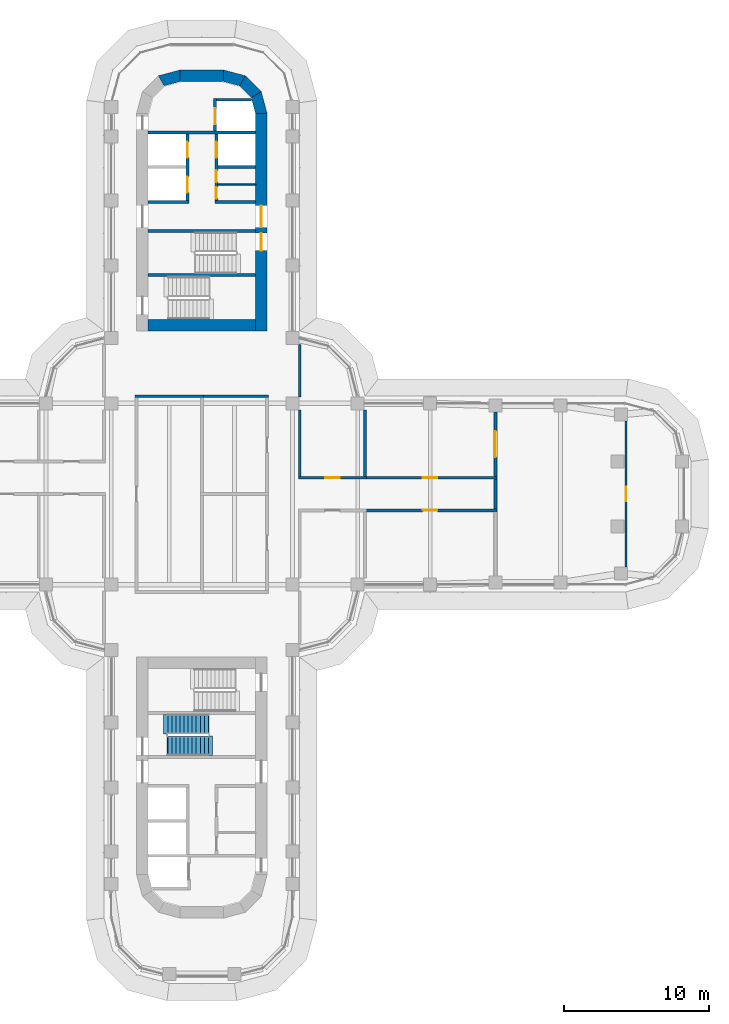
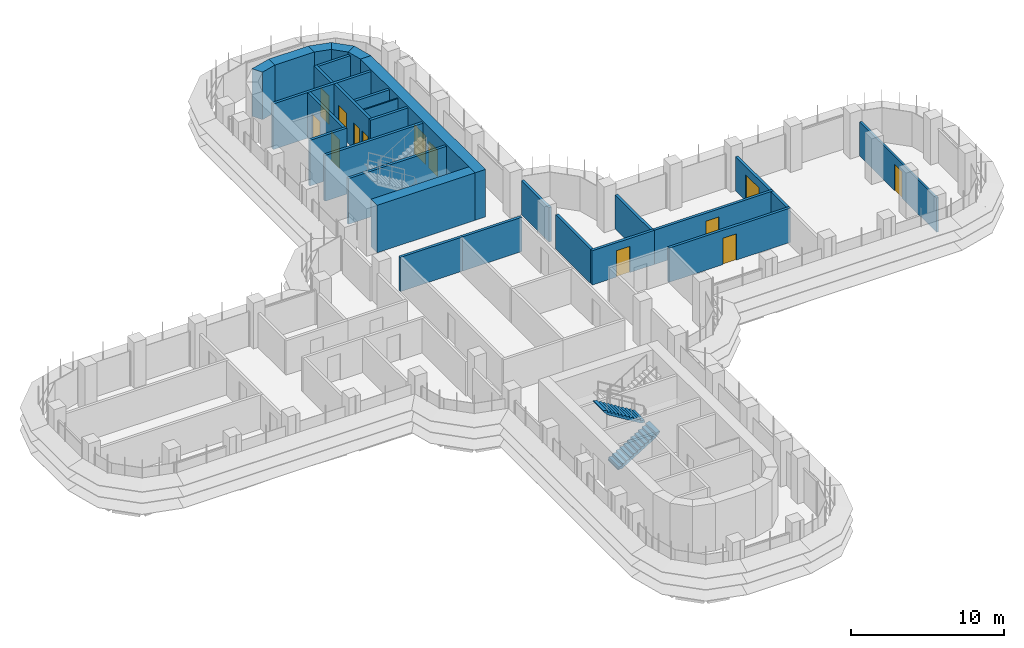
# One storey, part 17 of 22: 29 walls, 13 doors, 2 stair flights, 13 openings, 1 element without a shape of its own.
"""IFC4 building model written with IfcOpenShell, lengths in metres."""

from ifc_helpers import new_model, si_unit, direction, frame, frame_2d, origin, place, context, subcontext, project, spatial, polyline, rectangle, outline, extrude, material, layer, layer_set, type_object, element, fill, aggregate, save


model = new_model("IFC4")

# Units and contexts
model_context = context("Model", 3, precision=1e-05, world=origin(), true_north=direction((0.0, 1.0)))
body_context = subcontext(model_context, "Body", "Model", "MODEL_VIEW")
ifc_project = project(units=[si_unit("LENGTHUNIT", "METRE"), si_unit("AREAUNIT", "SQUARE_METRE"), si_unit("VOLUMEUNIT", "CUBIC_METRE"), si_unit("PLANEANGLEUNIT", "RADIAN"), si_unit("MASSUNIT", "GRAM", prefix="KILO")], contexts=[model_context])

# Site, building, storey
site_placement = place(None, origin())
site = spatial("IfcSite", under=ifc_project, at=site_placement, CompositionType="ELEMENT")
building_placement = place(site_placement, origin())
building = spatial("IfcBuilding", under=site, at=building_placement, Name="Zarbagh Exchange Tower", CompositionType="ELEMENT")
storey_placement = place(building_placement, frame((0.0, 0.0, 101.800048828125)))
storey = spatial("IfcBuildingStorey", under=building, at=storey_placement, Name="L23", CompositionType="ELEMENT", Elevation=101.800048828125)

# Wall
ifc_material_1 = material(Name="Dense blockwork", Category="masonry")
ifc_layer_1 = layer(ifc_material_1, 0.10009765625)
ifc_layer_set_1 = layer_set([ifc_layer_1], Name="Core partition 100 mm blockwork")
wall_type_1 = type_object("IfcWallType", Name="Core partition 100 mm blockwork", PredefinedType="PARTITIONING", material=ifc_layer_set_1)
wall_1_placement = place(storey_placement, frame((1.10009765625, 21.35009765625, 0.0), z_axis=(0.0, 0.0, 1.0), x_axis=(1.0, 0.0, 0.0)))
element("IfcWall", 1, at=wall_1_placement, inside=storey, type_object=wall_type_1, Name="North core partition wall CUT-E-700", PredefinedType="PARTITIONING", context=body_context, shape_type="SweptSolid", body=[
    extrude(rectangle(XDim=2.599853515625, YDim=0.10009765625, at=frame_2d((1.2998046875, 0.0))), origin(), (0.0, 0.0, 1.0), 3.64990234375),
])

# Wall, opening, door
ifc_material_2 = material(Name="Plasterboard partition")
ifc_layer_2 = layer(ifc_material_2, 0.14990234375)
ifc_layer_set_2 = layer_set([ifc_layer_2], Name="PARTITION 150")
wall_type_2 = type_object("IfcWallType", Name="PARTITION 150", PredefinedType="PARTITIONING", material=ifc_layer_set_2)
wall_2_placement = place(storey_placement, frame((29.25, 5.02490234375, 0.0), z_axis=(0.0, 0.0, 1.0), x_axis=(0.0, -1.0, 0.0)))
wall_2 = element("IfcWall", 2, at=wall_2_placement, inside=storey, type_object=wall_type_2, Name="Partition W-828", PredefinedType="PARTITIONING", context=body_context, shape_type="SweptSolid", body=[
    extrude(rectangle(XDim=10.0498046875, YDim=0.14990234375, at=frame_2d((5.02490234375, 0.0))), origin(), (0.0, 0.0, 1.0), 2.738037109375),
])
opening_1_placement = place(wall_2_placement, frame((4.52490234375, 0.0, 0.0)))
opening_1 = element("IfcOpeningElement", 3, at=opening_1_placement, cuts=wall_2, Name="Opening D-804", PredefinedType="OPENING", context=body_context, shape_type="SweptSolid", body=[
    extrude(rectangle(XDim=1.0, YDim=2.10009765625, at=frame_2d((0.5, 1.050048828125))), frame((0.0, 0.0849609375, 0.0), z_axis=(0.0, -1.0, 0.0), x_axis=(1.0, 0.0, 0.0)), (0.0, 0.0, 1.0), 0.169921875),
])
ifc_material_3 = material(Name="Timber door leaf", Category="wood")
door_type_1 = type_object("IfcDoorType", Name="DOOR 1000 X 2100", OperationType="NOTDEFINED", PredefinedType="DOOR", material=ifc_material_3)
door_1_placement = place(opening_1_placement, origin())
door_1 = element("IfcDoor", 4, at=door_1_placement, inside=storey, type_object=door_type_1, Name="Door D-804", OperationType="SINGLE_SWING_RIGHT", OverallHeight=2.10009765625, OverallWidth=1.0, PredefinedType="DOOR", context=body_context, shape_type="SweptSolid", body=[
    extrude(rectangle(XDim=1.0, YDim=2.10009765625, at=frame_2d((0.5, 1.050048828125))), frame((0.0, 0.02490234375, 0.0), z_axis=(0.0, -1.0, 0.0), x_axis=(1.0, 0.0, 0.0)), (0.0, 0.0, 1.0), 0.050048828125),
])
fill(opening_1, door_1)

# Walls
ifc_material_4 = material(Name="Fire-rated plasterboard partition")
ifc_layer_3 = layer(ifc_material_4, 0.199951171875)
ifc_layer_set_3 = layer_set([ifc_layer_3], Name="RATED PARTITION 200")
wall_type_3 = type_object("IfcWallType", Name="RATED PARTITION 200", PredefinedType="PARTITIONING", material=ifc_layer_set_3)
wall_3_placement = place(storey_placement, frame((6.75, 1.22509765625, 0.0), z_axis=(0.0, 0.0, 1.0), x_axis=(0.0, 1.0, 0.0)))
element("IfcWall", 5, at=wall_3_placement, inside=storey, type_object=wall_type_3, Name="Partition W-808", PredefinedType="PARTITIONING", context=body_context, shape_type="SweptSolid", body=[
    extrude(rectangle(XDim=4.574951171875, YDim=0.199951171875, at=frame_2d((2.28759765625, 0.0))), origin(), (0.0, 0.0, 1.0), 2.738037109375),
])
wall_4_placement = place(storey_placement, frame((6.75, 6.699951171875, 0.0), z_axis=(0.0, 0.0, 1.0), x_axis=(0.0, 1.0, 0.0)))
element("IfcWall", 6, at=wall_4_placement, inside=storey, type_object=wall_type_3, Name="Partition W-809", PredefinedType="PARTITIONING", context=body_context, shape_type="SweptSolid", body=[
    extrude(rectangle(XDim=3.60009765625, YDim=0.199951171875, at=frame_2d((1.800048828125, 0.0))), origin(), (0.0, 0.0, 1.0), 2.738037109375),
])
for number, where, z_axis, x_axis, name in (
    (7, (-4.60009765625, 6.75, 0.0), (0.0, 0.0, 1.0), (1.0, 0.0, 0.0), "Partition W-812"),
    (8, (-0.10009765625, 6.75, 0.0), (0.0, 0.0, 1.0), (1.0, 0.0, 0.0), "Partition W-813"),
):
    element("IfcWall", number, at=place(storey_placement, frame(where, z_axis=z_axis, x_axis=x_axis)), inside=storey, type_object=wall_type_3, Name=name, PredefinedType="PARTITIONING", context=body_context, shape_type="SweptSolid", body=[
        extrude(rectangle(XDim=4.7001953125, YDim=0.199951171875, at=frame_2d((2.35009765625, 0.0))), origin(), (0.0, 0.0, 1.0), 2.738037109375),
    ])

# Wall, opening, door
wall_5_placement = place(storey_placement, frame((6.64990234375, 1.125, 0.0), z_axis=(0.0, 0.0, 1.0), x_axis=(1.0, 0.0, 0.0)))
wall_5 = element("IfcWall", 9, at=wall_5_placement, inside=storey, type_object=wall_type_3, Name="Partition W-819", PredefinedType="PARTITIONING", context=body_context, shape_type="SweptSolid", body=[
    extrude(rectangle(XDim=4.7001953125, YDim=0.199951171875, at=frame_2d((2.35009765625, 0.0))), origin(), (0.0, 0.0, 1.0), 2.738037109375),
])
opening_2_placement = place(wall_5_placement, frame((1.85009765625, 0.0, 0.0)))
opening_2 = element("IfcOpeningElement", 10, at=opening_2_placement, cuts=wall_5, Name="Opening D-806", PredefinedType="OPENING", context=body_context, shape_type="SweptSolid", body=[
    extrude(rectangle(XDim=1.0, YDim=2.10009765625, at=frame_2d((0.5, 1.050048828125))), frame((0.0, 0.10986328125, 0.0), z_axis=(0.0, -1.0, 0.0), x_axis=(1.0, 0.0, 0.0)), (0.0, 0.0, 1.0), 0.219970703125),
])
ifc_material_5 = material(Name="Steel door set", Category="steel")
door_type_2 = type_object("IfcDoorType", Name="FIRE DOOR 1000 X 2100 FD30S", OperationType="NOTDEFINED", PredefinedType="DOOR", material=ifc_material_5)
door_2_placement = place(opening_2_placement, origin())
door_2 = element("IfcDoor", 11, at=door_2_placement, inside=storey, type_object=door_type_2, Name="Door D-806", OperationType="SINGLE_SWING_RIGHT", OverallHeight=2.10009765625, OverallWidth=1.0, PredefinedType="DOOR", context=body_context, shape_type="SweptSolid", body=[
    extrude(rectangle(XDim=1.0, YDim=2.10009765625, at=frame_2d((0.5, 1.050048828125))), frame((0.0, 0.02490234375, 0.0), z_axis=(0.0, -1.0, 0.0), x_axis=(1.0, 0.0, 0.0)), (0.0, 0.0, 1.0), 0.050048828125),
])
fill(opening_2, door_2)

wall_6_placement = place(storey_placement, frame((11.14990234375, 1.125, 0.0), z_axis=(0.0, 0.0, 1.0), x_axis=(1.0, 0.0, 0.0)))
wall_6 = element("IfcWall", 12, at=wall_6_placement, inside=storey, type_object=wall_type_3, Name="Partition W-821", PredefinedType="PARTITIONING", context=body_context, shape_type="SweptSolid", body=[
    extrude(rectangle(XDim=9.2001953125, YDim=0.199951171875, at=frame_2d((4.60009765625, 0.0))), origin(), (0.0, 0.0, 1.0), 2.738037109375),
])
opening_3_placement = place(wall_6_placement, frame((4.10009765625, 0.0, 0.0)))
opening_3 = element("IfcOpeningElement", 13, at=opening_3_placement, cuts=wall_6, Name="Opening D-807", PredefinedType="OPENING", context=body_context, shape_type="SweptSolid", body=[
    extrude(rectangle(XDim=1.0, YDim=2.10009765625, at=frame_2d((0.5, 1.050048828125))), frame((0.0, 0.10986328125, 0.0), z_axis=(0.0, -1.0, 0.0), x_axis=(1.0, 0.0, 0.0)), (0.0, 0.0, 1.0), 0.219970703125),
])
door_3_placement = place(opening_3_placement, origin())
door_3 = element("IfcDoor", 14, at=door_3_placement, inside=storey, type_object=door_type_2, Name="Door D-807", OperationType="SINGLE_SWING_LEFT", OverallHeight=2.10009765625, OverallWidth=1.0, PredefinedType="DOOR", context=body_context, shape_type="SweptSolid", body=[
    extrude(rectangle(XDim=1.0, YDim=2.10009765625, at=frame_2d((0.5, 1.050048828125))), frame((0.0, 0.02490234375, 0.0), z_axis=(0.0, -1.0, 0.0), x_axis=(1.0, 0.0, 0.0)), (0.0, 0.0, 1.0), 0.050048828125),
])
fill(opening_3, door_3)

wall_7_placement = place(storey_placement, frame((20.35009765625, -1.125, 0.0), z_axis=(0.0, 0.0, 1.0), x_axis=(-1.0, 0.0, 0.0)))
wall_7 = element("IfcWall", 15, at=wall_7_placement, inside=storey, type_object=wall_type_3, Name="Partition W-822", PredefinedType="PARTITIONING", context=body_context, shape_type="SweptSolid", body=[
    extrude(rectangle(XDim=9.2001953125, YDim=0.199951171875, at=frame_2d((4.60009765625, 0.0))), origin(), (0.0, 0.0, 1.0), 2.738037109375),
])
opening_4_placement = place(wall_7_placement, frame((4.10009765625, 0.0, 0.0)))
opening_4 = element("IfcOpeningElement", 16, at=opening_4_placement, cuts=wall_7, Name="Opening D-809", PredefinedType="OPENING", context=body_context, shape_type="SweptSolid", body=[
    extrude(rectangle(XDim=1.0, YDim=2.10009765625, at=frame_2d((0.5, 1.050048828125))), frame((0.0, 0.10986328125, 0.0), z_axis=(0.0, -1.0, 0.0), x_axis=(1.0, 0.0, 0.0)), (0.0, 0.0, 1.0), 0.219970703125),
])
door_4_placement = place(opening_4_placement, origin())
door_4 = element("IfcDoor", 17, at=door_4_placement, inside=storey, type_object=door_type_2, Name="Door D-809", OperationType="SINGLE_SWING_RIGHT", OverallHeight=2.10009765625, OverallWidth=1.0, PredefinedType="DOOR", context=body_context, shape_type="SweptSolid", body=[
    extrude(rectangle(XDim=1.0, YDim=2.10009765625, at=frame_2d((0.5, 1.050048828125))), frame((0.0, 0.02490234375, 0.0), z_axis=(0.0, -1.0, 0.0), x_axis=(1.0, 0.0, 0.0)), (0.0, 0.0, 1.0), 0.050048828125),
])
fill(opening_4, door_4)

# Walls
wall_8_placement = place(storey_placement, frame((20.25, -1.02490234375, 0.0), z_axis=(0.0, 0.0, 1.0), x_axis=(0.0, 1.0, 0.0)))
element("IfcWall", 18, at=wall_8_placement, inside=storey, type_object=wall_type_3, Name="Partition W-823", PredefinedType="PARTITIONING", context=body_context, shape_type="SweptSolid", body=[
    extrude(rectangle(XDim=2.0498046875, YDim=0.199951171875, at=frame_2d((1.02490234375, 0.0))), origin(), (0.0, 0.0, 1.0), 2.738037109375),
])
wall_9_placement = place(storey_placement, frame((11.25, 1.22509765625, 0.0), z_axis=(0.0, 0.0, 1.0), x_axis=(0.0, 1.0, 0.0)))
element("IfcWall", 19, at=wall_9_placement, inside=storey, type_object=wall_type_3, Name="Partition W-824", PredefinedType="PARTITIONING", context=body_context, shape_type="SweptSolid", body=[
    extrude(rectangle(XDim=4.574951171875, YDim=0.199951171875, at=frame_2d((2.28759765625, 0.0))), origin(), (0.0, 0.0, 1.0), 2.738037109375),
])

# Wall, opening, door
wall_10_placement = place(storey_placement, frame((20.25, 5.659912109375, 0.0), z_axis=(0.0, 0.0, 1.0), x_axis=(0.0, -1.0, 0.0)))
wall_10 = element("IfcWall", 20, at=wall_10_placement, inside=storey, type_object=wall_type_3, Name="Partition W-826", PredefinedType="PARTITIONING", context=body_context, shape_type="SweptSolid", body=[
    extrude(rectangle(XDim=4.434814453125, YDim=0.199951171875, at=frame_2d((2.21728515625, 0.0))), origin(), (0.0, 0.0, 1.0), 2.738037109375),
])
opening_5_placement = place(wall_10_placement, frame((1.3173828125, 0.0, 0.0)))
opening_5 = element("IfcOpeningElement", 21, at=opening_5_placement, cuts=wall_10, Name="Opening D-805", PredefinedType="OPENING", context=body_context, shape_type="SweptSolid", body=[
    extrude(rectangle(XDim=1.800048828125, YDim=2.10009765625, at=frame_2d((0.89990234375, 1.050048828125))), frame((0.0, 0.10986328125, 0.0), z_axis=(0.0, -1.0, 0.0), x_axis=(1.0, 0.0, 0.0)), (0.0, 0.0, 1.0), 0.219970703125),
])
door_type_3 = type_object("IfcDoorType", Name="FIRE DOUBLE DOOR 1800 X 2100 FD30S", OperationType="DOUBLE_DOOR_SINGLE_SWING", PredefinedType="DOOR", material=ifc_material_5)
door_5_placement = place(opening_5_placement, origin())
door_5 = element("IfcDoor", 22, at=door_5_placement, inside=storey, type_object=door_type_3, Name="Door D-805", OperationType="DOUBLE_DOOR_SINGLE_SWING", OverallHeight=2.10009765625, OverallWidth=1.800048828125, PredefinedType="DOOR", context=body_context, shape_type="SweptSolid", body=[
    extrude(rectangle(XDim=1.800048828125, YDim=2.10009765625, at=frame_2d((0.89990234375, 1.050048828125))), frame((0.0, 0.02490234375, 0.0), z_axis=(0.0, -1.0, 0.0), x_axis=(1.0, 0.0, 0.0)), (0.0, 0.0, 1.0), 0.050048828125),
])
fill(opening_5, door_5)

# Walls
ifc_material_6 = material(Name="Concrete C60/75", Category="concrete")
ifc_layer_4 = layer(ifc_material_6, 0.800048828125)
ifc_layer_set_4 = layer_set([ifc_layer_4], Name="RC core corner wall 800 C60/75")
wall_type_4 = type_object("IfcWallType", Name="RC core corner wall 800 C60/75", PredefinedType="SHEAR", material=ifc_layer_set_4)
wall_11_placement = place(storey_placement, origin())
element("IfcWall", 23, at=wall_11_placement, inside=storey, type_object=wall_type_4, Name="CW4 core N corner W", PredefinedType="SHEAR", context=body_context, shape_type="SweptSolid", body=[
    extrude(outline(polyline([(-3.0, 28.84814453125), (-1.5, 29.25), (-1.5, 28.449951171875), (-2.60009765625, 28.1552734375), (-3.0, 28.84814453125)])), origin(), (0.0, 0.0, 1.0), 3.800048828125),
])
wall_12_placement = place(storey_placement, origin())
element("IfcWall", 24, at=wall_12_placement, inside=storey, type_object=wall_type_4, Name="CW4 core N corner E", PredefinedType="SHEAR", context=body_context, shape_type="SweptSolid", body=[
    extrude(outline(polyline([(4.5, 26.25), (4.09814453125, 27.75), (3.4052734375, 27.35009765625), (3.699951171875, 26.25), (4.5, 26.25)])), origin(), (0.0, 0.0, 1.0), 3.800048828125),
])
wall_13_placement = place(storey_placement, origin())
element("IfcWall", 25, at=wall_13_placement, inside=storey, type_object=wall_type_4, Name="CW4 core N corner E", PredefinedType="SHEAR", context=body_context, shape_type="SweptSolid", body=[
    extrude(outline(polyline([(4.09814453125, 27.75), (3.0, 28.84814453125), (2.60009765625, 28.1552734375), (3.4052734375, 27.35009765625), (4.09814453125, 27.75)])), origin(), (0.0, 0.0, 1.0), 3.800048828125),
])
wall_14_placement = place(storey_placement, origin())
element("IfcWall", 26, at=wall_14_placement, inside=storey, type_object=wall_type_4, Name="CW4 core N corner E", PredefinedType="SHEAR", context=body_context, shape_type="SweptSolid", body=[
    extrude(outline(polyline([(3.0, 28.84814453125), (1.5, 29.25), (1.5, 28.449951171875), (2.60009765625, 28.1552734375), (3.0, 28.84814453125)])), origin(), (0.0, 0.0, 1.0), 3.800048828125),
])

# Wall, openings, doors
ifc_layer_5 = layer(ifc_material_6, 0.800048828125)
ifc_layer_set_5 = layer_set([ifc_layer_5], Name="RC core wall 800 C60/75")
wall_type_5 = type_object("IfcWallType", Name="RC core wall 800 C60/75", PredefinedType="SHEAR", material=ifc_layer_set_5)
wall_15_placement = place(storey_placement, frame((4.10009765625, 11.25, 0.0), z_axis=(0.0, 0.0, 1.0), x_axis=(0.0, 1.0, 0.0)))
wall_15 = element("IfcWall", 27, at=wall_15_placement, inside=storey, type_object=wall_type_5, Name="CW3 core N E", PredefinedType="SHEAR", context=body_context, shape_type="SweptSolid", body=[
    extrude(rectangle(XDim=15.0, YDim=0.800048828125, at=frame_2d((7.5, 0.0))), origin(), (0.0, 0.0, 1.0), 3.800048828125),
])
opening_6_placement = place(wall_15_placement, frame((7.14990234375, 0.0, 0.0)))
opening_6 = element("IfcOpeningElement", 28, at=opening_6_placement, cuts=wall_15, Name="Opening CD1-1500", PredefinedType="OPENING", context=body_context, shape_type="SweptSolid", body=[
    extrude(rectangle(XDim=1.5, YDim=2.300048828125, at=frame_2d((0.75, 1.14990234375))), frame((0.0, 0.409912109375, 0.0), z_axis=(0.0, -1.0, 0.0), x_axis=(1.0, 0.0, 0.0)), (0.0, 0.0, 1.0), 0.820068359375),
])
opening_7_placement = place(wall_15_placement, frame((5.550048828125, 0.0, 0.0)))
opening_7 = element("IfcOpeningElement", 29, at=opening_7_placement, cuts=wall_15, Name="Opening SD1-1200", PredefinedType="OPENING", context=body_context, shape_type="SweptSolid", body=[
    extrude(rectangle(XDim=1.199951171875, YDim=2.10009765625, at=frame_2d((0.60009765625, 1.050048828125))), frame((0.0, 0.409912109375, 0.0), z_axis=(0.0, -1.0, 0.0), x_axis=(1.0, 0.0, 0.0)), (0.0, 0.0, 1.0), 0.820068359375),
])
ifc_material_7 = material(Name="Steel", Category="steel")
door_type_4 = type_object("IfcDoorType", Name="Exit stair door 1200 x 2100", OperationType="NOTDEFINED", PredefinedType="DOOR", material=ifc_material_7)
door_6_placement = place(opening_7_placement, origin())
door_6 = element("IfcDoor", 30, at=door_6_placement, inside=storey, type_object=door_type_4, Name="North core stair door ST1", OperationType="SINGLE_SWING_RIGHT", OverallHeight=2.10009765625, OverallWidth=1.199951171875, PredefinedType="DOOR", context=body_context, shape_type="SweptSolid", body=[
    extrude(rectangle(XDim=1.199951171875, YDim=2.10009765625, at=frame_2d((0.60009765625, 1.050048828125))), frame((0.0, 0.02490234375, 0.0), z_axis=(0.0, -1.0, 0.0), x_axis=(1.0, 0.0, 0.0)), (0.0, 0.0, 1.0), 0.050048828125),
])
fill(opening_7, door_6)
door_type_5 = type_object("IfcDoorType", Name="Lift lobby double door 1500 x 2300", OperationType="NOTDEFINED", PredefinedType="DOOR", material=ifc_material_7)
door_7_placement = place(opening_6_placement, origin())
door_7 = element("IfcDoor", 31, at=door_7_placement, inside=storey, type_object=door_type_5, Name="North core lift lobby door LOBBY-E", OperationType="DOUBLE_DOOR_SINGLE_SWING", OverallHeight=2.300048828125, OverallWidth=1.5, PredefinedType="DOOR", context=body_context, shape_type="SweptSolid", body=[
    extrude(rectangle(XDim=1.5, YDim=2.300048828125, at=frame_2d((0.75, 1.14990234375))), frame((0.0, 0.02490234375, 0.0), z_axis=(0.0, -1.0, 0.0), x_axis=(1.0, 0.0, 0.0)), (0.0, 0.0, 1.0), 0.050048828125),
])
fill(opening_6, door_7)

# Walls
wall_16_placement = place(storey_placement, frame((-3.699951171875, 11.64990234375, 0.0), z_axis=(0.0, 0.0, 1.0), x_axis=(1.0, 0.0, 0.0)))
element("IfcWall", 32, at=wall_16_placement, inside=storey, type_object=wall_type_5, Name="CW3 core N inner end", PredefinedType="SHEAR", context=body_context, shape_type="SweptSolid", body=[
    extrude(rectangle(XDim=7.39990234375, YDim=0.800048828125, at=frame_2d((3.699951171875, 0.0))), origin(), (0.0, 0.0, 1.0), 3.800048828125),
])
wall_17_placement = place(storey_placement, frame((-1.5, 28.85009765625, 0.0), z_axis=(0.0, 0.0, 1.0), x_axis=(1.0, 0.0, 0.0)))
element("IfcWall", 33, at=wall_17_placement, inside=storey, type_object=wall_type_5, Name="CW3 core N outer end", PredefinedType="SHEAR", context=body_context, shape_type="SweptSolid", body=[
    extrude(rectangle(XDim=3.0, YDim=0.800048828125, at=frame_2d((1.5, 0.0))), origin(), (0.0, 0.0, 1.0), 3.800048828125),
])
ifc_layer_6 = layer(ifc_material_1, 0.199951171875)
ifc_layer_set_6 = layer_set([ifc_layer_6], Name="Shaft wall 200 mm blockwork")
wall_type_6 = type_object("IfcWallType", Name="Shaft wall 200 mm blockwork", PredefinedType="PARTITIONING", material=ifc_layer_set_6)
wall_18_placement = place(storey_placement, frame((-3.699951171875, 20.14990234375, 0.0), z_axis=(0.0, 0.0, 1.0), x_axis=(1.0, 0.0, 0.0)))
element("IfcWall", 34, at=wall_18_placement, inside=storey, type_object=wall_type_6, Name="North core shaft wall AB-W", PredefinedType="PARTITIONING", context=body_context, shape_type="SweptSolid", body=[
    extrude(rectangle(XDim=2.800048828125, YDim=0.199951171875, at=frame_2d((1.39990234375, 0.0))), origin(), (0.0, 0.0, 1.0), 3.64990234375),
])

# Wall, openings, doors
wall_19_placement = place(storey_placement, frame((-1.0, 24.85009765625, 0.0), z_axis=(0.0, 0.0, 1.0), x_axis=(0.0, -1.0, 0.0)))
wall_19 = element("IfcWall", 35, at=wall_19_placement, inside=storey, type_object=wall_type_6, Name="North core shaft wall LW-W", PredefinedType="PARTITIONING", context=body_context, shape_type="SweptSolid", body=[
    extrude(rectangle(XDim=4.60009765625, YDim=0.199951171875, at=frame_2d((2.300048828125, 0.0))), origin(), (0.0, 0.0, 1.0), 3.64990234375),
])
opening_8_placement = place(wall_19_placement, frame((0.550048828125, 0.0, 0.0)))
opening_8 = element("IfcOpeningElement", 36, at=opening_8_placement, cuts=wall_19, Name="Opening LD-1100", PredefinedType="OPENING", context=body_context, shape_type="SweptSolid", body=[
    extrude(rectangle(XDim=1.10009765625, YDim=2.300048828125, at=frame_2d((0.550048828125, 1.14990234375))), frame((0.0, 0.10986328125, 0.0), z_axis=(0.0, -1.0, 0.0), x_axis=(1.0, 0.0, 0.0)), (0.0, 0.0, 1.0), 0.219970703125),
])
opening_9_placement = place(wall_19_placement, frame((2.949951171875, 0.0, 0.0)))
opening_9 = element("IfcOpeningElement", 37, at=opening_9_placement, cuts=wall_19, Name="Opening LD-1100", PredefinedType="OPENING", context=body_context, shape_type="SweptSolid", body=[
    extrude(rectangle(XDim=1.10009765625, YDim=2.300048828125, at=frame_2d((0.550048828125, 1.14990234375))), frame((0.0, 0.10986328125, 0.0), z_axis=(0.0, -1.0, 0.0), x_axis=(1.0, 0.0, 0.0)), (0.0, 0.0, 1.0), 0.219970703125),
])
ifc_material_8 = material(Name="Stainless steel", Category="steel")
door_type_6 = type_object("IfcDoorType", Name="Lift landing door 1100 x 2300", OperationType="NOTDEFINED", PredefinedType="DOOR", material=ifc_material_8)
door_8_placement = place(opening_8_placement, origin())
door_8 = element("IfcDoor", 38, at=door_8_placement, inside=storey, type_object=door_type_6, Name="North core lift landing door LD-P-N1", OperationType="DOUBLE_DOOR_SLIDING", OverallHeight=2.300048828125, OverallWidth=1.10009765625, PredefinedType="DOOR", context=body_context, shape_type="SweptSolid", body=[
    extrude(rectangle(XDim=1.10009765625, YDim=2.300048828125, at=frame_2d((0.550048828125, 1.14990234375))), frame((0.0, 0.02490234375, 0.0), z_axis=(0.0, -1.0, 0.0), x_axis=(1.0, 0.0, 0.0)), (0.0, 0.0, 1.0), 0.050048828125),
])
fill(opening_8, door_8)
door_9_placement = place(opening_9_placement, origin())
door_9 = element("IfcDoor", 39, at=door_9_placement, inside=storey, type_object=door_type_6, Name="North core lift landing door LD-P-N2", OperationType="DOUBLE_DOOR_SLIDING", OverallHeight=2.300048828125, OverallWidth=1.10009765625, PredefinedType="DOOR", context=body_context, shape_type="SweptSolid", body=[
    extrude(rectangle(XDim=1.10009765625, YDim=2.300048828125, at=frame_2d((0.550048828125, 1.14990234375))), frame((0.0, 0.02490234375, 0.0), z_axis=(0.0, -1.0, 0.0), x_axis=(1.0, 0.0, 0.0)), (0.0, 0.0, 1.0), 0.050048828125),
])
fill(opening_9, door_9)

# Wall
wall_20_placement = place(storey_placement, frame((0.89990234375, 20.14990234375, 0.0), z_axis=(0.0, 0.0, 1.0), x_axis=(1.0, 0.0, 0.0)))
element("IfcWall", 40, at=wall_20_placement, inside=storey, type_object=wall_type_6, Name="North core shaft wall AB-E", PredefinedType="PARTITIONING", context=body_context, shape_type="SweptSolid", body=[
    extrude(rectangle(XDim=2.800048828125, YDim=0.199951171875, at=frame_2d((1.39990234375, 0.0))), origin(), (0.0, 0.0, 1.0), 3.64990234375),
])

# Wall, openings, doors
wall_21_placement = place(storey_placement, frame((1.0, 24.85009765625, 0.0), z_axis=(0.0, 0.0, 1.0), x_axis=(0.0, -1.0, 0.0)))
wall_21 = element("IfcWall", 41, at=wall_21_placement, inside=storey, type_object=wall_type_6, Name="North core shaft wall LW-E", PredefinedType="PARTITIONING", context=body_context, shape_type="SweptSolid", body=[
    extrude(rectangle(XDim=4.60009765625, YDim=0.199951171875, at=frame_2d((2.300048828125, 0.0))), origin(), (0.0, 0.0, 1.0), 3.64990234375),
])
opening_10_placement = place(wall_21_placement, frame((0.550048828125, 0.0, 0.0)))
opening_10 = element("IfcOpeningElement", 42, at=opening_10_placement, cuts=wall_21, Name="Opening LD-1100", PredefinedType="OPENING", context=body_context, shape_type="SweptSolid", body=[
    extrude(rectangle(XDim=1.10009765625, YDim=2.300048828125, at=frame_2d((0.550048828125, 1.14990234375))), frame((0.0, 0.10986328125, 0.0), z_axis=(0.0, -1.0, 0.0), x_axis=(1.0, 0.0, 0.0)), (0.0, 0.0, 1.0), 0.219970703125),
])
opening_11_placement = place(wall_21_placement, frame((2.52490234375, 0.0, 0.0)))
opening_11 = element("IfcOpeningElement", 43, at=opening_11_placement, cuts=wall_21, Name="Opening CD3-800", PredefinedType="OPENING", context=body_context, shape_type="SweptSolid", body=[
    extrude(rectangle(XDim=0.800048828125, YDim=2.10009765625, at=frame_2d((0.39990234375, 1.050048828125))), frame((0.0, 0.10986328125, 0.0), z_axis=(0.0, -1.0, 0.0), x_axis=(1.0, 0.0, 0.0)), (0.0, 0.0, 1.0), 0.219970703125),
])
opening_12_placement = place(wall_21_placement, frame((3.675048828125, 0.0, 0.0)))
opening_12 = element("IfcOpeningElement", 44, at=opening_12_placement, cuts=wall_21, Name="Opening CD3-800", PredefinedType="OPENING", context=body_context, shape_type="SweptSolid", body=[
    extrude(rectangle(XDim=0.800048828125, YDim=2.10009765625, at=frame_2d((0.39990234375, 1.050048828125))), frame((0.0, 0.10986328125, 0.0), z_axis=(0.0, -1.0, 0.0), x_axis=(1.0, 0.0, 0.0)), (0.0, 0.0, 1.0), 0.219970703125),
])
door_type_7 = type_object("IfcDoorType", Name="Core room door 800 x 2100", OperationType="NOTDEFINED", PredefinedType="DOOR", material=ifc_material_7)
door_10_placement = place(opening_11_placement, origin())
door_10 = element("IfcDoor", 45, at=door_10_placement, inside=storey, type_object=door_type_7, Name="North core Store door RD-E-0", OperationType="SINGLE_SWING_RIGHT", OverallHeight=2.10009765625, OverallWidth=0.800048828125, PredefinedType="DOOR", context=body_context, shape_type="SweptSolid", body=[
    extrude(rectangle(XDim=0.800048828125, YDim=2.10009765625, at=frame_2d((0.39990234375, 1.050048828125))), frame((0.0, 0.02490234375, 0.0), z_axis=(0.0, -1.0, 0.0), x_axis=(1.0, 0.0, 0.0)), (0.0, 0.0, 1.0), 0.050048828125),
])
fill(opening_11, door_10)
door_11_placement = place(opening_12_placement, origin())
door_11 = element("IfcDoor", 46, at=door_11_placement, inside=storey, type_object=door_type_7, Name="North core IT room door RD-E-1", OperationType="SINGLE_SWING_RIGHT", OverallHeight=2.10009765625, OverallWidth=0.800048828125, PredefinedType="DOOR", context=body_context, shape_type="SweptSolid", body=[
    extrude(rectangle(XDim=0.800048828125, YDim=2.10009765625, at=frame_2d((0.39990234375, 1.050048828125))), frame((0.0, 0.02490234375, 0.0), z_axis=(0.0, -1.0, 0.0), x_axis=(1.0, 0.0, 0.0)), (0.0, 0.0, 1.0), 0.050048828125),
])
fill(opening_12, door_11)
door_12_placement = place(opening_10_placement, origin())
door_12 = element("IfcDoor", 47, at=door_12_placement, inside=storey, type_object=door_type_6, Name="North core lift landing door LD-P-N3", OperationType="DOUBLE_DOOR_SLIDING", OverallHeight=2.300048828125, OverallWidth=1.10009765625, PredefinedType="DOOR", context=body_context, shape_type="SweptSolid", body=[
    extrude(rectangle(XDim=1.10009765625, YDim=2.300048828125, at=frame_2d((0.550048828125, 1.14990234375))), frame((0.0, 0.02490234375, 0.0), z_axis=(0.0, -1.0, 0.0), x_axis=(1.0, 0.0, 0.0)), (0.0, 0.0, 1.0), 0.050048828125),
])
fill(opening_10, door_12)

# Walls
wall_22_placement = place(storey_placement, frame((1.10009765625, 22.550048828125, 0.0), z_axis=(0.0, 0.0, 1.0), x_axis=(1.0, 0.0, 0.0)))
element("IfcWall", 48, at=wall_22_placement, inside=storey, type_object=wall_type_6, Name="North core shaft wall TR-E", PredefinedType="PARTITIONING", context=body_context, shape_type="SweptSolid", body=[
    extrude(rectangle(XDim=2.599853515625, YDim=0.199951171875, at=frame_2d((1.2998046875, 0.0))), origin(), (0.0, 0.0, 1.0), 3.64990234375),
])
ifc_material_9 = material(Name="Concrete C40/50", Category="concrete")
ifc_layer_7 = layer(ifc_material_9, 0.199951171875)
ifc_layer_set_7 = layer_set([ifc_layer_7], Name="Stair enclosure wall 200 mm RC C40/50")
wall_type_7 = type_object("IfcWallType", Name="Stair enclosure wall 200 mm RC C40/50", PredefinedType="SHEAR", material=ifc_layer_set_7)
wall_23_placement = place(storey_placement, frame((-3.699951171875, 24.949951171875, 0.0), z_axis=(0.0, 0.0, 1.0), x_axis=(1.0, 0.0, 0.0)))
element("IfcWall", 49, at=wall_23_placement, inside=storey, type_object=wall_type_7, Name="North core lift shaft wall FFA", PredefinedType="SHEAR", context=body_context, shape_type="SweptSolid", body=[
    extrude(rectangle(XDim=7.39990234375, YDim=0.199951171875, at=frame_2d((3.699951171875, 0.0))), origin(), (0.0, 0.0, 1.0), 3.64990234375),
])

# Wall, opening, door
wall_24_placement = place(storey_placement, frame((0.89990234375, 27.300048828125, 0.0), z_axis=(0.0, 0.0, 1.0), x_axis=(0.0, -1.0, 0.0)))
wall_24 = element("IfcWall", 50, at=wall_24_placement, inside=storey, type_object=wall_type_7, Name="North core lift shaft wall FFL", PredefinedType="SHEAR", context=body_context, shape_type="SweptSolid", body=[
    extrude(rectangle(XDim=2.25, YDim=0.199951171875, at=frame_2d((1.125, 0.0))), origin(), (0.0, 0.0, 1.0), 3.64990234375),
])
opening_13_placement = place(wall_24_placement, frame((0.699951171875, 0.0, 0.0)))
opening_13 = element("IfcOpeningElement", 51, at=opening_13_placement, cuts=wall_24, Name="Opening LD-1100", PredefinedType="OPENING", context=body_context, shape_type="SweptSolid", body=[
    extrude(rectangle(XDim=1.10009765625, YDim=2.300048828125, at=frame_2d((0.550048828125, 1.14990234375))), frame((0.0, 0.10986328125, 0.0), z_axis=(0.0, -1.0, 0.0), x_axis=(1.0, 0.0, 0.0)), (0.0, 0.0, 1.0), 0.219970703125),
])
door_13_placement = place(opening_13_placement, origin())
door_13 = element("IfcDoor", 52, at=door_13_placement, inside=storey, type_object=door_type_6, Name="North core lift landing door LD-F", OperationType="DOUBLE_DOOR_SLIDING", OverallHeight=2.300048828125, OverallWidth=1.10009765625, PredefinedType="DOOR", context=body_context, shape_type="SweptSolid", body=[
    extrude(rectangle(XDim=1.10009765625, YDim=2.300048828125, at=frame_2d((0.550048828125, 1.14990234375))), frame((0.0, 0.02490234375, 0.0), z_axis=(0.0, -1.0, 0.0), x_axis=(1.0, 0.0, 0.0)), (0.0, 0.0, 1.0), 0.050048828125),
])
fill(opening_13, door_13)

# Walls
wall_25_placement = place(storey_placement, origin())
element("IfcWall", 53, at=wall_25_placement, inside=storey, type_object=wall_type_7, Name="North core lift shaft wall FFX", PredefinedType="SHEAR", context=body_context, shape_type="SweptSolid", body=[
    extrude(outline(polyline([(1.0, 27.10009765625), (3.444091796875, 27.10009765625), (3.390380859375, 27.300048828125), (1.0, 27.300048828125), (1.0, 27.10009765625)])), origin(), (0.0, 0.0, 1.0), 3.64990234375),
])
for number, where, z_axis, x_axis, name in (
    (54, (-3.699951171875, 18.14990234375, 0.0), (0.0, 0.0, 1.0), (1.0, 0.0, 0.0), "North core stair wall BS"),
    (55, (-3.699951171875, 15.10009765625, 0.0), (0.0, 0.0, 1.0), (1.0, 0.0, 0.0), "North core stair wall ST12"),
):
    element("IfcWall", number, at=place(storey_placement, frame(where, z_axis=z_axis, x_axis=x_axis)), inside=storey, type_object=wall_type_7, Name=name, PredefinedType="SHEAR", context=body_context, shape_type="SweptSolid", body=[
        extrude(rectangle(XDim=7.39990234375, YDim=0.199951171875, at=frame_2d((3.699951171875, 0.0))), origin(), (0.0, 0.0, 1.0), 3.64990234375),
    ])

# Stair, stair flights
stair_type = type_object("IfcStairType", Name="Exit stair two-flight half-turn", PredefinedType="HALF_TURN_STAIR", material=ifc_material_9)
stair_placement = place(storey_placement, origin())
stair = element("IfcStair", 56, at=stair_placement, inside=storey, type_object=stair_type, Name="exit stair ST3", PredefinedType="HALF_TURN_STAIR")
stair_flight_type = type_object("IfcStairFlightType", Name="Stair flight 1350 mm", PredefinedType="STRAIGHT", material=ifc_material_9)
stair_flight_1_placement = place(storey_placement, frame((-2.35009765625, -17.375, 0.0), z_axis=(0.0, 0.0, 1.0), x_axis=(1.0, 0.0, 0.0)))
stair_flight_1 = element("IfcStairFlight", 57, at=stair_flight_1_placement, type_object=stair_flight_type, Name="ST3 flight 1", NumberOfRisers=11, NumberOfTreads=10, PredefinedType="STRAIGHT", RiserHeight=0.172727273, TreadLength=0.28, context=body_context, shape_type="SweptSolid", body=[
    extrude(outline(polyline([(-0.050048828125, -0.050048828125), (-0.050048828125, 0.0), (0.0, 0.0), (0.0, 0.172607421875), (0.280029296875, 0.172607421875), (0.280029296875, 0.345458984375), (0.56005859375, 0.345458984375), (0.56005859375, 0.51806640625), (0.840087890625, 0.51806640625), (0.840087890625, 0.69091796875), (1.1201171875, 0.69091796875), (1.1201171875, 0.863525390625), (1.39990234375, 0.863525390625), (1.39990234375, 1.036376953125), (1.679931640625, 1.036376953125), (1.679931640625, 1.208984375), (1.9599609375, 1.208984375), (1.9599609375, 1.3818359375), (2.239990234375, 1.3818359375), (2.239990234375, 1.554443359375), (2.52001953125, 1.554443359375), (2.52001953125, 1.727294921875), (2.800048828125, 1.727294921875), (2.800048828125, 1.89990234375), (3.10009765625, 1.97998046875), (3.10009765625, 1.89990234375), (2.800048828125, 1.551025390625), (0.285400390625, 0.0), (-0.050048828125, -0.050048828125)])), frame((0.0, 0.675048828125, 0.0), z_axis=(0.0, -1.0, 0.0), x_axis=(1.0, 0.0, 0.0)), (0.0, 0.0, 1.0), 1.35009765625),
])
stair_flight_2_placement = place(storey_placement, frame((0.449951171875, -15.875, 1.89990234375), z_axis=(0.0, 0.0, 1.0), x_axis=(-1.0, 0.0, 0.0)))
stair_flight_2 = element("IfcStairFlight", 58, at=stair_flight_2_placement, type_object=stair_flight_type, Name="ST3 flight 2", NumberOfRisers=11, NumberOfTreads=10, PredefinedType="STRAIGHT", RiserHeight=0.172727273, TreadLength=0.28, context=body_context, shape_type="SweptSolid", body=[
    extrude(outline(polyline([(-0.050048828125, -0.050048828125), (-0.050048828125, 0.0), (0.0, 0.0), (0.0, 0.172607421875), (0.280029296875, 0.172607421875), (0.280029296875, 0.345458984375), (0.56005859375, 0.345458984375), (0.56005859375, 0.51806640625), (0.840087890625, 0.51806640625), (0.840087890625, 0.69091796875), (1.1201171875, 0.69091796875), (1.1201171875, 0.863525390625), (1.39990234375, 0.863525390625), (1.39990234375, 1.036376953125), (1.679931640625, 1.036376953125), (1.679931640625, 1.208984375), (1.9599609375, 1.208984375), (1.9599609375, 1.3818359375), (2.239990234375, 1.3818359375), (2.239990234375, 1.554443359375), (2.52001953125, 1.554443359375), (2.52001953125, 1.727294921875), (2.800048828125, 1.727294921875), (2.800048828125, 1.89990234375), (3.10009765625, 1.97998046875), (3.10009765625, 1.89990234375), (2.800048828125, 1.551025390625), (0.285400390625, 0.0), (-0.050048828125, -0.050048828125)])), frame((0.0, 0.675048828125, 0.0), z_axis=(0.0, -1.0, 0.0), x_axis=(1.0, 0.0, 0.0)), (0.0, 0.0, 1.0), 1.35009765625),
])
aggregate(stair, [stair_flight_1, stair_flight_2])

save(model, "model.ifc")
